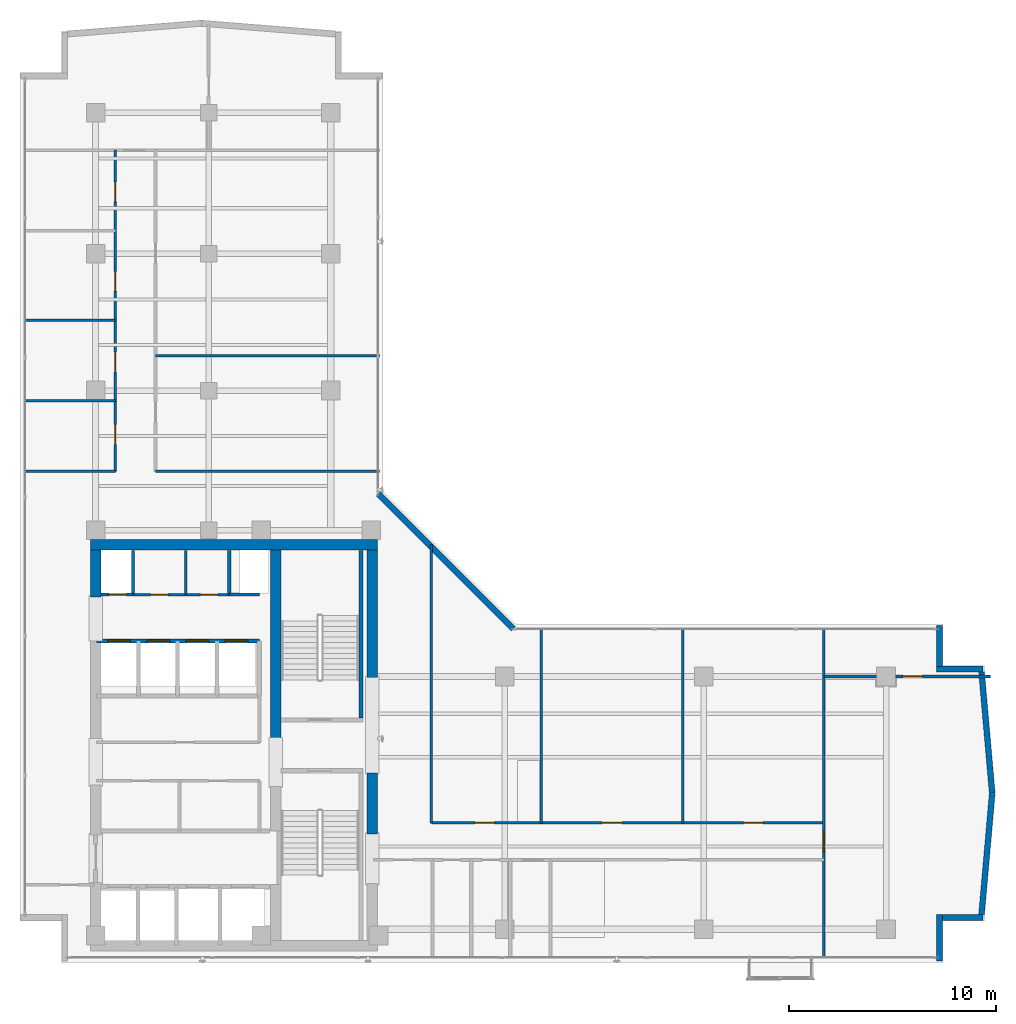
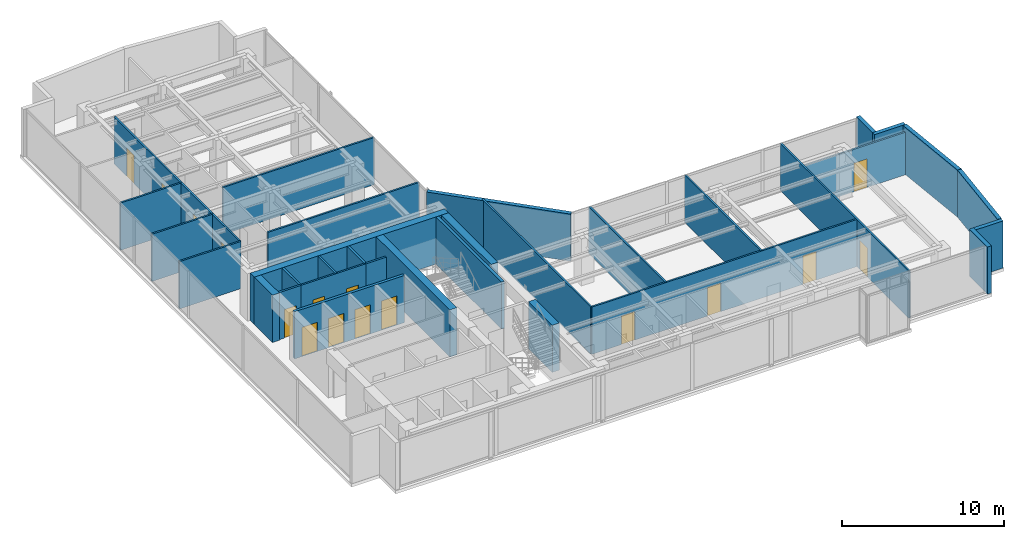
# One storey, part 17 of 23: 32 walls, 16 doors, 16 openings.
"""IFC4 building model written with IfcOpenShell, lengths in metres."""

from ifc_helpers import new_model, si_unit, direction, frame, frame_2d, origin, place, context, subcontext, project, spatial, rectangle, extrude, material, layer, layer_set, type_object, element, fill, save


model = new_model("IFC4")

# Units and contexts
model_context = context("Model", 3, precision=1e-05, world=origin(), true_north=direction((0.0, 1.0)))
body_context = subcontext(model_context, "Body", "Model", "MODEL_VIEW")
ifc_project = project(units=[si_unit("LENGTHUNIT", "METRE"), si_unit("AREAUNIT", "SQUARE_METRE"), si_unit("VOLUMEUNIT", "CUBIC_METRE"), si_unit("PLANEANGLEUNIT", "RADIAN"), si_unit("MASSUNIT", "GRAM", prefix="KILO")], contexts=[model_context])

# Site, building, storey
site_placement = place(None, origin())
site = spatial("IfcSite", under=ifc_project, at=site_placement, CompositionType="ELEMENT")
building_placement = place(site_placement, origin())
building = spatial("IfcBuilding", under=site, at=building_placement, Name="Kolvaren Waterfront Exchange", CompositionType="ELEMENT")
storey_placement = place(building_placement, frame((0.0, 0.0, 289.39990234375)))
storey = spatial("IfcBuildingStorey", under=building, at=storey_placement, Name="L74", CompositionType="ELEMENT", Elevation=289.39990234375)

# Walls
ifc_material_1 = material(Name="Precast concrete C40/50", Category="concrete")
ifc_layer_1 = layer(ifc_material_1, 0.280029296875, Name="Precast concrete C40/50")
ifc_layer_set_1 = layer_set([ifc_layer_1], Name="Precast concrete C40/50")
wall_type_1 = type_object("IfcWallType", Name="ARC-EXT-TERR-280", PredefinedType="SOLIDWALL", material=ifc_layer_set_1)
wall_1_placement = place(storey_placement, frame((48.18212890625, 3.659912109375, 0.0), z_axis=(0.0, 0.0, 1.0), x_axis=(0.0, 1.0, 0.0)))
element("IfcWall", 1, at=wall_1_placement, inside=storey, type_object=wall_type_1, Name="L74 notched corner spandrel pier SE-A", PredefinedType="SOLIDWALL", context=body_context, shape_type="SweptSolid", body=[
    extrude(rectangle(XDim=2.239990234375, YDim=0.280029296875, at=frame_2d((1.1201171875, 0.0))), origin(), (0.0, 0.0, 1.0), 3.56005859375),
])
wall_2_placement = place(storey_placement, frame((48.322021484375, 5.760009765625, 0.0), z_axis=(0.0, 0.0, 1.0), x_axis=(1.0, 0.0, 0.0)))
element("IfcWall", 2, at=wall_2_placement, inside=storey, type_object=wall_type_1, Name="L74 notched corner spandrel pier SE-B", PredefinedType="SOLIDWALL", context=body_context, shape_type="SweptSolid", body=[
    extrude(rectangle(XDim=1.9599609375, YDim=0.280029296875, at=frame_2d((0.97998046875, 0.0))), origin(), (0.0, 0.0, 1.0), 3.56005859375),
])
wall_3_placement = place(storey_placement, frame((48.18212890625, 17.891357421875, 0.0), z_axis=(0.0, 0.0, 1.0), x_axis=(0.0, 1.0, 0.0)))
element("IfcWall", 3, at=wall_3_placement, inside=storey, type_object=wall_type_1, Name="L74 notched corner spandrel pier ENE-A", PredefinedType="SOLIDWALL", context=body_context, shape_type="SweptSolid", body=[
    extrude(rectangle(XDim=1.974853515625, YDim=0.280029296875, at=frame_2d((0.9873046875, 0.0))), origin(), (0.0, 0.0, 1.0), 3.56005859375),
])
wall_4_placement = place(storey_placement, frame((48.0419921875, 17.766357421875, 0.0), z_axis=(0.0, 0.0, 1.0), x_axis=(1.0, 0.0, 0.0)))
element("IfcWall", 4, at=wall_4_placement, inside=storey, type_object=wall_type_1, Name="L74 notched corner spandrel pier ENE-B", PredefinedType="SOLIDWALL", context=body_context, shape_type="SweptSolid", body=[
    extrude(rectangle(XDim=2.239990234375, YDim=0.280029296875, at=frame_2d((1.1201171875, 0.0))), origin(), (0.0, 0.0, 1.0), 3.56005859375),
])
wall_5_placement = place(storey_placement, frame((27.611328125, 19.701416015625, 0.0), z_axis=(0.0, 0.0, 1.0), x_axis=(-0.707120040392, 0.707093521733, 0.0)))
element("IfcWall", 5, at=wall_5_placement, inside=storey, type_object=wall_type_1, Name="L74 notched corner spandrel pier ELBOW", PredefinedType="SOLIDWALL", context=body_context, shape_type="SweptSolid", body=[
    extrude(rectangle(XDim=9.206298828125, YDim=0.280029296875, at=frame_2d((4.60302734375, 0.0))), origin(), (0.0, 0.0, 1.0), 3.56005859375),
])
for number, where, z_axis, x_axis, name in (
    (6, (50.208984375, 5.912841796875, 0.0), (0.0, 0.0, 1.0), (0.087638766314, 0.996152321003, 0.0), "L74 east prow faceted facade wall 1"),
    (7, (50.72314453125, 11.76904296875, 0.0), (0.0, 0.0, 1.0), (-0.087638766314, 0.996152321003, 0.0), "L74 east prow faceted facade wall 2"),
):
    element("IfcWall", number, at=place(storey_placement, frame(where, z_axis=z_axis, x_axis=x_axis)), inside=storey, type_object=wall_type_1, Name=name, PredefinedType="SOLIDWALL", context=body_context, shape_type="SweptSolid", body=[
        extrude(rectangle(XDim=5.86669921875, YDim=0.280029296875, at=frame_2d((2.933349609375, 0.0))), origin(), (0.0, 0.0, 1.0), 3.56005859375),
    ])

# Wall, openings, doors
ifc_material_2 = material(Name="Acoustic gypsum steel stud", Category="steel")
ifc_layer_2 = layer(ifc_material_2, 0.125, Name="Acoustic gypsum steel stud")
ifc_layer_set_2 = layer_set([ifc_layer_2], Name="Acoustic gypsum steel stud")
wall_type_2 = type_object("IfcWallType", Name="ARC-PART-125", PredefinedType="PARTITIONING", material=ifc_layer_set_2)
wall_6_placement = place(storey_placement, frame((9.25, 21.35009765625, 0.0), z_axis=(0.0, 0.0, 1.0), x_axis=(1.0, 0.0, 0.0)))
wall_6 = element("IfcWall", 8, at=wall_6_placement, inside=storey, type_object=wall_type_2, Name="L74 interior wall PW-L74-SVC-HI-S", PredefinedType="PARTITIONING", context=body_context, shape_type="SweptSolid", body=[
    extrude(rectangle(XDim=4.64990234375, YDim=0.125, at=frame_2d((2.324951171875, 0.0))), origin(), (0.0, 0.0, 1.0), 3.56005859375),
])
opening_1_placement = place(wall_6_placement, frame((0.85009765625, 0.0, 0.0)))
opening_1 = element("IfcOpeningElement", 9, at=opening_1_placement, cuts=wall_6, Name="Opening D01", PredefinedType="OPENING", context=body_context, shape_type="SweptSolid", body=[
    extrude(rectangle(XDim=0.85009765625, YDim=2.14990234375, at=frame_2d((0.425048828125, 1.074951171875))), frame((0.0, 0.072509765625, 0.0), z_axis=(0.0, -1.0, 0.0), x_axis=(1.0, 0.0, 0.0)), (0.0, 0.0, 1.0), 0.14501953125),
])
opening_2_placement = place(wall_6_placement, frame((3.25, 0.0, 0.0)))
opening_2 = element("IfcOpeningElement", 10, at=opening_2_placement, cuts=wall_6, Name="Opening D01", PredefinedType="OPENING", context=body_context, shape_type="SweptSolid", body=[
    extrude(rectangle(XDim=0.85009765625, YDim=2.14990234375, at=frame_2d((0.425048828125, 1.074951171875))), frame((0.0, 0.072509765625, 0.0), z_axis=(0.0, -1.0, 0.0), x_axis=(1.0, 0.0, 0.0)), (0.0, 0.0, 1.0), 0.14501953125),
])
ifc_material_3 = material(Name="Oak veneer timber leaf", Category="wood")
door_type_1 = type_object("IfcDoorType", Name="ARC-DR-900", OperationType="NOTDEFINED", PredefinedType="DOOR", material=ifc_material_3)
door_1_placement = place(opening_1_placement, origin())
door_1 = element("IfcDoor", 11, at=door_1_placement, inside=storey, type_object=door_type_1, Name="L74 door DR-L74-SVC-DR-1 (D01)", OperationType="SINGLE_SWING_RIGHT", OverallHeight=2.14990234375, OverallWidth=0.85009765625, PredefinedType="DOOR", context=body_context, shape_type="SweptSolid", body=[
    extrude(rectangle(XDim=0.85009765625, YDim=2.14990234375, at=frame_2d((0.425048828125, 1.074951171875))), frame((0.0, 0.02490234375, 0.0), z_axis=(0.0, -1.0, 0.0), x_axis=(1.0, 0.0, 0.0)), (0.0, 0.0, 1.0), 0.050048828125),
])
fill(opening_1, door_1)
door_2_placement = place(opening_2_placement, origin())
door_2 = element("IfcDoor", 12, at=door_2_placement, inside=storey, type_object=door_type_1, Name="L74 door DR-L74-SVC-DR-2 (D01)", OperationType="SINGLE_SWING_LEFT", OverallHeight=2.14990234375, OverallWidth=0.85009765625, PredefinedType="DOOR", context=body_context, shape_type="SweptSolid", body=[
    extrude(rectangle(XDim=0.85009765625, YDim=2.14990234375, at=frame_2d((0.425048828125, 1.074951171875))), frame((0.0, 0.02490234375, 0.0), z_axis=(0.0, -1.0, 0.0), x_axis=(1.0, 0.0, 0.0)), (0.0, 0.0, 1.0), 0.050048828125),
])
fill(opening_2, door_2)

# Wall
wall_7_placement = place(storey_placement, frame((11.800048828125, 21.35009765625, 0.0), z_axis=(0.0, 0.0, 1.0), x_axis=(0.0, 1.0, 0.0)))
element("IfcWall", 13, at=wall_7_placement, inside=storey, type_object=wall_type_2, Name="L74 interior wall PW-L74-SVC-HI-M", PredefinedType="PARTITIONING", context=body_context, shape_type="SweptSolid", body=[
    extrude(rectangle(XDim=2.1298828125, YDim=0.125, at=frame_2d((1.06494140625, 0.0))), origin(), (0.0, 0.0, 1.0), 3.56005859375),
])

# Wall, opening, door
wall_8_placement = place(storey_placement, frame((42.60009765625, 3.840087890625, 0.0), z_axis=(0.0, 0.0, 1.0), x_axis=(0.0, 1.0, 0.0)))
wall_8 = element("IfcWall", 14, at=wall_8_placement, inside=storey, type_object=wall_type_2, Name="L74 interior wall PW-L74-ETIP-W", PredefinedType="PARTITIONING", context=body_context, shape_type="SweptSolid", body=[
    extrude(rectangle(XDim=15.919921875, YDim=0.125, at=frame_2d((7.9599609375, 0.0))), origin(), (0.0, 0.0, 1.0), 3.56005859375),
])
opening_3_placement = place(wall_8_placement, frame((5.10009765625, 0.0, 0.0)))
opening_3 = element("IfcOpeningElement", 15, at=opening_3_placement, cuts=wall_8, Name="Opening D03", PredefinedType="OPENING", context=body_context, shape_type="SweptSolid", body=[
    extrude(rectangle(XDim=1.0, YDim=2.199951171875, at=frame_2d((0.5, 1.10009765625))), frame((0.0, 0.072509765625, 0.0), z_axis=(0.0, -1.0, 0.0), x_axis=(1.0, 0.0, 0.0)), (0.0, 0.0, 1.0), 0.14501953125),
])
ifc_material_4 = material(Name="Oak veneer accessible timber", Category="wood")
door_type_2 = type_object("IfcDoorType", Name="ARC-DR-1000", OperationType="NOTDEFINED", PredefinedType="DOOR", material=ifc_material_4)
door_3_placement = place(opening_3_placement, origin())
door_3 = element("IfcDoor", 16, at=door_3_placement, inside=storey, type_object=door_type_2, Name="L74 door DR-L74-ETIP1-D (D03)", OperationType="SINGLE_SWING_RIGHT", OverallHeight=2.199951171875, OverallWidth=1.0, PredefinedType="DOOR", context=body_context, shape_type="SweptSolid", body=[
    extrude(rectangle(XDim=1.0, YDim=2.199951171875, at=frame_2d((0.5, 1.10009765625))), frame((0.0, 0.02490234375, 0.0), z_axis=(0.0, -1.0, 0.0), x_axis=(1.0, 0.0, 0.0)), (0.0, 0.0, 1.0), 0.050048828125),
])
fill(opening_3, door_3)

wall_9_placement = place(storey_placement, frame((42.60009765625, 17.39990234375, 0.0), z_axis=(0.0, 0.0, 1.0), x_axis=(1.0, 0.0, 0.0)))
wall_9 = element("IfcWall", 17, at=wall_9_placement, inside=storey, type_object=wall_type_2, Name="L74 interior wall PW-L74-ETIP-MID", PredefinedType="PARTITIONING", context=body_context, shape_type="SweptSolid", body=[
    extrude(rectangle(XDim=8.044189453125, YDim=0.125, at=frame_2d((4.02197265625, 0.0))), origin(), (0.0, 0.0, 1.0), 3.2001953125),
])
opening_4_placement = place(wall_9_placement, frame((3.8125, 0.0, 0.0)))
opening_4 = element("IfcOpeningElement", 18, at=opening_4_placement, cuts=wall_9, Name="Opening D02", PredefinedType="OPENING", context=body_context, shape_type="SweptSolid", body=[
    extrude(rectangle(XDim=0.949951171875, YDim=2.14990234375, at=frame_2d((0.47509765625, 1.074951171875))), frame((0.0, 0.072509765625, 0.0), z_axis=(0.0, -1.0, 0.0), x_axis=(1.0, 0.0, 0.0)), (0.0, 0.0, 1.0), 0.14501953125),
])
ifc_material_5 = material(Name="Oak veneer acoustic timber", Category="wood")
door_type_3 = type_object("IfcDoorType", Name="ARC-DR-950", OperationType="NOTDEFINED", PredefinedType="DOOR", material=ifc_material_5)
door_4_placement = place(opening_4_placement, origin())
door_4 = element("IfcDoor", 19, at=door_4_placement, inside=storey, type_object=door_type_3, Name="L74 door DR-L74-ETIP2-D (D02)", OperationType="SINGLE_SWING_LEFT", OverallHeight=2.14990234375, OverallWidth=0.949951171875, PredefinedType="DOOR", context=body_context, shape_type="SweptSolid", body=[
    extrude(rectangle(XDim=0.949951171875, YDim=2.14990234375, at=frame_2d((0.47509765625, 1.074951171875))), frame((0.0, 0.02490234375, 0.0), z_axis=(0.0, -1.0, 0.0), x_axis=(1.0, 0.0, 0.0)), (0.0, 0.0, 1.0), 0.050048828125),
])
fill(opening_4, door_4)

# Wall
wall_10_placement = place(storey_placement, frame((23.64990234375, 10.330078125, 0.0), z_axis=(0.0, 0.0, 1.0), x_axis=(0.0, 1.0, 0.0)))
element("IfcWall", 20, at=wall_10_placement, inside=storey, type_object=wall_type_2, Name="L74 interior wall PW-L74-EN-W0", PredefinedType="PARTITIONING", context=body_context, shape_type="SweptSolid", body=[
    extrude(rectangle(XDim=13.4326171875, YDim=0.125, at=frame_2d((6.71630859375, 0.0))), origin(), (0.0, 0.0, 1.0), 3.56005859375),
])

# Wall, openings, doors
wall_11_placement = place(storey_placement, frame((23.64990234375, 10.330078125, 0.0), z_axis=(0.0, 0.0, 1.0), x_axis=(1.0, 0.0, 0.0)))
wall_11 = element("IfcWall", 21, at=wall_11_placement, inside=storey, type_object=wall_type_2, Name="L74 interior wall PW-L74-EN-CORR", PredefinedType="PARTITIONING", context=body_context, shape_type="SweptSolid", body=[
    extrude(rectangle(XDim=18.9501953125, YDim=0.125, at=frame_2d((9.47509765625, 0.0))), origin(), (0.0, 0.0, 1.0), 3.56005859375),
])
opening_5_placement = place(wall_11_placement, frame((2.10888671875, 0.0, 0.0)))
opening_5 = element("IfcOpeningElement", 22, at=opening_5_placement, cuts=wall_11, Name="Opening D02", PredefinedType="OPENING", context=body_context, shape_type="SweptSolid", body=[
    extrude(rectangle(XDim=0.949951171875, YDim=2.14990234375, at=frame_2d((0.47509765625, 1.074951171875))), frame((0.0, 0.072509765625, 0.0), z_axis=(0.0, -1.0, 0.0), x_axis=(1.0, 0.0, 0.0)), (0.0, 0.0, 1.0), 0.14501953125),
])
opening_6_placement = place(wall_11_placement, frame((8.2451171875, 0.0, 0.0)))
opening_6 = element("IfcOpeningElement", 23, at=opening_6_placement, cuts=wall_11, Name="Opening D02", PredefinedType="OPENING", context=body_context, shape_type="SweptSolid", body=[
    extrude(rectangle(XDim=0.949951171875, YDim=2.14990234375, at=frame_2d((0.47509765625, 1.074951171875))), frame((0.0, 0.072509765625, 0.0), z_axis=(0.0, -1.0, 0.0), x_axis=(1.0, 0.0, 0.0)), (0.0, 0.0, 1.0), 0.14501953125),
])
opening_7_placement = place(wall_11_placement, frame((15.06494140625, 0.0, 0.0)))
opening_7 = element("IfcOpeningElement", 24, at=opening_7_placement, cuts=wall_11, Name="Opening D02", PredefinedType="OPENING", context=body_context, shape_type="SweptSolid", body=[
    extrude(rectangle(XDim=0.949951171875, YDim=2.14990234375, at=frame_2d((0.47509765625, 1.074951171875))), frame((0.0, 0.072509765625, 0.0), z_axis=(0.0, -1.0, 0.0), x_axis=(1.0, 0.0, 0.0)), (0.0, 0.0, 1.0), 0.14501953125),
])
door_5_placement = place(opening_5_placement, origin())
door_5 = element("IfcDoor", 25, at=door_5_placement, inside=storey, type_object=door_type_3, Name="L74 door DR-L74-EN-D-1 (D02)", OperationType="SINGLE_SWING_RIGHT", OverallHeight=2.14990234375, OverallWidth=0.949951171875, PredefinedType="DOOR", context=body_context, shape_type="SweptSolid", body=[
    extrude(rectangle(XDim=0.949951171875, YDim=2.14990234375, at=frame_2d((0.47509765625, 1.074951171875))), frame((0.0, 0.02490234375, 0.0), z_axis=(0.0, -1.0, 0.0), x_axis=(1.0, 0.0, 0.0)), (0.0, 0.0, 1.0), 0.050048828125),
])
fill(opening_5, door_5)
door_6_placement = place(opening_6_placement, origin())
door_6 = element("IfcDoor", 26, at=door_6_placement, inside=storey, type_object=door_type_3, Name="L74 door DR-L74-EN-D-2 (D02)", OperationType="SINGLE_SWING_LEFT", OverallHeight=2.14990234375, OverallWidth=0.949951171875, PredefinedType="DOOR", context=body_context, shape_type="SweptSolid", body=[
    extrude(rectangle(XDim=0.949951171875, YDim=2.14990234375, at=frame_2d((0.47509765625, 1.074951171875))), frame((0.0, 0.02490234375, 0.0), z_axis=(0.0, -1.0, 0.0), x_axis=(1.0, 0.0, 0.0)), (0.0, 0.0, 1.0), 0.050048828125),
])
fill(opening_6, door_6)
door_7_placement = place(opening_7_placement, origin())
door_7 = element("IfcDoor", 27, at=door_7_placement, inside=storey, type_object=door_type_3, Name="L74 door DR-L74-EN-D-3 (D02)", OperationType="SINGLE_SWING_RIGHT", OverallHeight=2.14990234375, OverallWidth=0.949951171875, PredefinedType="DOOR", context=body_context, shape_type="SweptSolid", body=[
    extrude(rectangle(XDim=0.949951171875, YDim=2.14990234375, at=frame_2d((0.47509765625, 1.074951171875))), frame((0.0, 0.02490234375, 0.0), z_axis=(0.0, -1.0, 0.0), x_axis=(1.0, 0.0, 0.0)), (0.0, 0.0, 1.0), 0.050048828125),
])
fill(opening_7, door_7)

# Walls
for number, where, z_axis, x_axis, name in (
    (28, (28.9599609375, 10.330078125, 0.0), (0.0, 0.0, 1.0), (0.0, 1.0, 0.0), "L74 interior wall PW-L74-EN-DIV-1"),
    (29, (35.780029296875, 10.330078125, 0.0), (0.0, 0.0, 1.0), (0.0, 1.0, 0.0), "L74 interior wall PW-L74-EN-DIV-2"),
):
    element("IfcWall", number, at=place(storey_placement, frame(where, z_axis=z_axis, x_axis=x_axis)), inside=storey, type_object=wall_type_2, Name=name, PredefinedType="PARTITIONING", context=body_context, shape_type="SweptSolid", body=[
        extrude(rectangle(XDim=9.429931640625, YDim=0.125, at=frame_2d((4.71484375, 0.0))), origin(), (0.0, 0.0, 1.0), 3.56005859375),
    ])
wall_12_placement = place(storey_placement, frame((4.0400390625, 27.300048828125, 0.0), z_axis=(0.0, 0.0, 1.0), x_axis=(1.0, 0.0, 0.0)))
element("IfcWall", 30, at=wall_12_placement, inside=storey, type_object=wall_type_2, Name="L74 interior wall PW-L74-NW-S0", PredefinedType="PARTITIONING", context=body_context, shape_type="SweptSolid", body=[
    extrude(rectangle(XDim=4.35986328125, YDim=0.125, at=frame_2d((2.179931640625, 0.0))), origin(), (0.0, 0.0, 1.0), 3.56005859375),
])

# Wall, openings, doors
wall_13_placement = place(storey_placement, frame((8.39990234375, 27.300048828125, 0.0), z_axis=(0.0, 0.0, 1.0), x_axis=(0.0, 1.0, 0.0)))
wall_13 = element("IfcWall", 31, at=wall_13_placement, inside=storey, type_object=wall_type_2, Name="L74 interior wall PW-L74-NW-CORR", PredefinedType="PARTITIONING", context=body_context, shape_type="SweptSolid", body=[
    extrude(rectangle(XDim=15.5, YDim=0.125, at=frame_2d((7.75, 0.0))), origin(), (0.0, 0.0, 1.0), 3.56005859375),
])
opening_8_placement = place(wall_13_placement, frame((1.305419921875, 0.0, 0.0)))
opening_8 = element("IfcOpeningElement", 32, at=opening_8_placement, cuts=wall_13, Name="Opening D02", PredefinedType="OPENING", context=body_context, shape_type="SweptSolid", body=[
    extrude(rectangle(XDim=0.949951171875, YDim=2.14990234375, at=frame_2d((0.47509765625, 1.074951171875))), frame((0.0, 0.072509765625, 0.0), z_axis=(0.0, -1.0, 0.0), x_axis=(1.0, 0.0, 0.0)), (0.0, 0.0, 1.0), 0.14501953125),
])
opening_9_placement = place(wall_13_placement, frame((4.803955078125, 0.0, 0.0)))
opening_9 = element("IfcOpeningElement", 33, at=opening_9_placement, cuts=wall_13, Name="Opening D02", PredefinedType="OPENING", context=body_context, shape_type="SweptSolid", body=[
    extrude(rectangle(XDim=0.949951171875, YDim=2.14990234375, at=frame_2d((0.47509765625, 1.074951171875))), frame((0.0, 0.072509765625, 0.0), z_axis=(0.0, -1.0, 0.0), x_axis=(1.0, 0.0, 0.0)), (0.0, 0.0, 1.0), 0.14501953125),
])
opening_10_placement = place(wall_13_placement, frame((8.693359375, 0.0, 0.0)))
opening_10 = element("IfcOpeningElement", 34, at=opening_10_placement, cuts=wall_13, Name="Opening D02", PredefinedType="OPENING", context=body_context, shape_type="SweptSolid", body=[
    extrude(rectangle(XDim=0.949951171875, YDim=2.14990234375, at=frame_2d((0.47509765625, 1.074951171875))), frame((0.0, 0.072509765625, 0.0), z_axis=(0.0, -1.0, 0.0), x_axis=(1.0, 0.0, 0.0)), (0.0, 0.0, 1.0), 0.14501953125),
])
opening_11_placement = place(wall_13_placement, frame((13.013916015625, 0.0, 0.0)))
opening_11 = element("IfcOpeningElement", 35, at=opening_11_placement, cuts=wall_13, Name="Opening D02", PredefinedType="OPENING", context=body_context, shape_type="SweptSolid", body=[
    extrude(rectangle(XDim=0.949951171875, YDim=2.14990234375, at=frame_2d((0.47509765625, 1.074951171875))), frame((0.0, 0.072509765625, 0.0), z_axis=(0.0, -1.0, 0.0), x_axis=(1.0, 0.0, 0.0)), (0.0, 0.0, 1.0), 0.14501953125),
])
door_8_placement = place(opening_8_placement, origin())
door_8 = element("IfcDoor", 36, at=door_8_placement, inside=storey, type_object=door_type_3, Name="L74 door DR-L74-NW-D-1 (D02)", OperationType="SINGLE_SWING_LEFT", OverallHeight=2.14990234375, OverallWidth=0.949951171875, PredefinedType="DOOR", context=body_context, shape_type="SweptSolid", body=[
    extrude(rectangle(XDim=0.949951171875, YDim=2.14990234375, at=frame_2d((0.47509765625, 1.074951171875))), frame((0.0, 0.02490234375, 0.0), z_axis=(0.0, -1.0, 0.0), x_axis=(1.0, 0.0, 0.0)), (0.0, 0.0, 1.0), 0.050048828125),
])
fill(opening_8, door_8)
door_9_placement = place(opening_9_placement, origin())
door_9 = element("IfcDoor", 37, at=door_9_placement, inside=storey, type_object=door_type_3, Name="L74 door DR-L74-NW-D-2 (D02)", OperationType="SINGLE_SWING_RIGHT", OverallHeight=2.14990234375, OverallWidth=0.949951171875, PredefinedType="DOOR", context=body_context, shape_type="SweptSolid", body=[
    extrude(rectangle(XDim=0.949951171875, YDim=2.14990234375, at=frame_2d((0.47509765625, 1.074951171875))), frame((0.0, 0.02490234375, 0.0), z_axis=(0.0, -1.0, 0.0), x_axis=(1.0, 0.0, 0.0)), (0.0, 0.0, 1.0), 0.050048828125),
])
fill(opening_9, door_9)
door_10_placement = place(opening_10_placement, origin())
door_10 = element("IfcDoor", 38, at=door_10_placement, inside=storey, type_object=door_type_3, Name="L74 door DR-L74-NW-D-3 (D02)", OperationType="SINGLE_SWING_LEFT", OverallHeight=2.14990234375, OverallWidth=0.949951171875, PredefinedType="DOOR", context=body_context, shape_type="SweptSolid", body=[
    extrude(rectangle(XDim=0.949951171875, YDim=2.14990234375, at=frame_2d((0.47509765625, 1.074951171875))), frame((0.0, 0.02490234375, 0.0), z_axis=(0.0, -1.0, 0.0), x_axis=(1.0, 0.0, 0.0)), (0.0, 0.0, 1.0), 0.050048828125),
])
fill(opening_10, door_10)
door_11_placement = place(opening_11_placement, origin())
door_11 = element("IfcDoor", 39, at=door_11_placement, inside=storey, type_object=door_type_3, Name="L74 door DR-L74-NW-D-4 (D02)", OperationType="SINGLE_SWING_RIGHT", OverallHeight=2.14990234375, OverallWidth=0.949951171875, PredefinedType="DOOR", context=body_context, shape_type="SweptSolid", body=[
    extrude(rectangle(XDim=0.949951171875, YDim=2.14990234375, at=frame_2d((0.47509765625, 1.074951171875))), frame((0.0, 0.02490234375, 0.0), z_axis=(0.0, -1.0, 0.0), x_axis=(1.0, 0.0, 0.0)), (0.0, 0.0, 1.0), 0.050048828125),
])
fill(opening_11, door_11)

# Walls
for number, where, z_axis, x_axis, name in (
    (40, (4.0400390625, 30.7099609375, 0.0), (0.0, 0.0, 1.0), (1.0, 0.0, 0.0), "L74 interior wall PW-L74-NW-DIV-1"),
    (41, (4.0400390625, 34.590087890625, 0.0), (0.0, 0.0, 1.0), (1.0, 0.0, 0.0), "L74 interior wall PW-L74-NW-DIV-2"),
):
    element("IfcWall", number, at=place(storey_placement, frame(where, z_axis=z_axis, x_axis=x_axis)), inside=storey, type_object=wall_type_2, Name=name, PredefinedType="PARTITIONING", context=body_context, shape_type="SweptSolid", body=[
        extrude(rectangle(XDim=4.35986328125, YDim=0.125, at=frame_2d((2.179931640625, 0.0))), origin(), (0.0, 0.0, 1.0), 3.56005859375),
    ])
for number, where, z_axis, x_axis, name in (
    (42, (10.340087890625, 27.300048828125, 0.0), (0.0, 0.0, 1.0), (1.0, 0.0, 0.0), "L74 interior wall PW-L74-NE-S0"),
    (43, (10.340087890625, 32.8798828125, 0.0), (0.0, 0.0, 1.0), (1.0, 0.0, 0.0), "L74 interior wall PW-L74-NE-DIV-1"),
):
    element("IfcWall", number, at=place(storey_placement, frame(where, z_axis=z_axis, x_axis=x_axis)), inside=storey, type_object=wall_type_2, Name=name, PredefinedType="PARTITIONING", context=body_context, shape_type="SweptSolid", body=[
        extrude(rectangle(XDim=10.81982421875, YDim=0.125, at=frame_2d((5.409912109375, 0.0))), origin(), (0.0, 0.0, 1.0), 3.56005859375),
    ])
ifc_material_6 = material(Name="Gypsum fireboard steel stud", Category="steel")
ifc_layer_3 = layer(ifc_material_6, 0.14990234375, Name="Gypsum fireboard steel stud")
ifc_layer_set_3 = layer_set([ifc_layer_3], Name="Gypsum fireboard steel stud")
wall_type_3 = type_object("IfcWallType", Name="ARC-PART-150", PredefinedType="PARTITIONING", material=ifc_layer_set_3)
for number, where, z_axis, x_axis, name in (
    (44, (9.25, 21.35009765625, 0.0), (0.0, 0.0, 1.0), (0.0, 1.0, 0.0), "L74 interior wall PW-L74-SVC-R1"),
    (45, (13.89990234375, 21.35009765625, 0.0), (0.0, 0.0, 1.0), (0.0, 1.0, 0.0), "L74 interior wall PW-L74-SVC-R2"),
):
    element("IfcWall", number, at=place(storey_placement, frame(where, z_axis=z_axis, x_axis=x_axis)), inside=storey, type_object=wall_type_3, Name=name, PredefinedType="PARTITIONING", context=body_context, shape_type="SweptSolid", body=[
        extrude(rectangle(XDim=2.1298828125, YDim=0.14990234375, at=frame_2d((1.06494140625, 0.0))), origin(), (0.0, 0.0, 1.0), 3.56005859375),
    ])

# Wall, opening, door
wall_14_placement = place(storey_placement, frame((7.699951171875, 21.35009765625, 0.0), z_axis=(0.0, 0.0, 1.0), x_axis=(1.0, 0.0, 0.0)))
wall_14 = element("IfcWall", 46, at=wall_14_placement, inside=storey, type_object=wall_type_3, Name="L74 interior wall PW-L74-SVC-RE-S", PredefinedType="PARTITIONING", context=body_context, shape_type="SweptSolid", body=[
    extrude(rectangle(XDim=1.550048828125, YDim=0.14990234375, at=frame_2d((0.77490234375, 0.0))), origin(), (0.0, 0.0, 1.0), 3.56005859375),
])
opening_12_placement = place(wall_14_placement, frame((0.389892578125, 0.0, 0.0)))
opening_12 = element("IfcOpeningElement", 47, at=opening_12_placement, cuts=wall_14, Name="Opening FD1", PredefinedType="OPENING", context=body_context, shape_type="SweptSolid", body=[
    extrude(rectangle(XDim=0.85009765625, YDim=2.14990234375, at=frame_2d((0.425048828125, 1.074951171875))), frame((0.0, 0.0849609375, 0.0), z_axis=(0.0, -1.0, 0.0), x_axis=(1.0, 0.0, 0.0)), (0.0, 0.0, 1.0), 0.169921875),
])
ifc_material_7 = material(Name="Pressed steel fire leaf", Category="steel")
door_type_4 = type_object("IfcDoorType", Name="ARC-FD-900", OperationType="NOTDEFINED", PredefinedType="DOOR", material=ifc_material_7)
door_12_placement = place(opening_12_placement, origin())
door_12 = element("IfcDoor", 48, at=door_12_placement, inside=storey, type_object=door_type_4, Name="L74 door DR-L74-RISER-E-DR (FD1)", OperationType="SINGLE_SWING_LEFT", OverallHeight=2.14990234375, OverallWidth=0.85009765625, PredefinedType="DOOR", context=body_context, shape_type="SweptSolid", body=[
    extrude(rectangle(XDim=0.85009765625, YDim=2.14990234375, at=frame_2d((0.425048828125, 1.074951171875))), frame((0.0, 0.02490234375, 0.0), z_axis=(0.0, -1.0, 0.0), x_axis=(1.0, 0.0, 0.0)), (0.0, 0.0, 1.0), 0.050048828125),
])
fill(opening_12, door_12)

# Walls
wall_15_placement = place(storey_placement, frame((13.89990234375, 21.35009765625, 0.0), z_axis=(0.0, 0.0, 1.0), x_axis=(1.0, 0.0, 0.0)))
element("IfcWall", 49, at=wall_15_placement, inside=storey, type_object=wall_type_3, Name="L74 interior wall PW-L74-SVC-RP-S", PredefinedType="PARTITIONING", context=body_context, shape_type="SweptSolid", body=[
    extrude(rectangle(XDim=1.4501953125, YDim=0.14990234375, at=frame_2d((0.72509765625, 0.0))), origin(), (0.0, 0.0, 1.0), 3.56005859375),
])
ifc_material_8 = material(Name="Concrete C40/50", Category="concrete")
ifc_layer_4 = layer(ifc_material_8, 0.199951171875, Name="Concrete C40/50")
ifc_layer_set_4 = layer_set([ifc_layer_4], Name="Concrete C40/50")
wall_type_4 = type_object("IfcWallType", Name="ARC-SHAFT-200", PredefinedType="PARTITIONING", material=ifc_layer_set_4)
wall_16_placement = place(storey_placement, frame((20.260009765625, 15.39990234375, 0.0), z_axis=(0.0, 0.0, 1.0), x_axis=(0.0, 1.0, 0.0)))
element("IfcWall", 50, at=wall_16_placement, inside=storey, type_object=wall_type_4, Name="L74 structural stairwell wall PW-L74-ST2-E", PredefinedType="SHEAR", context=body_context, shape_type="SweptSolid", body=[
    extrude(rectangle(XDim=8.090087890625, YDim=0.199951171875, at=frame_2d((4.044921875, 0.0))), origin(), (0.0, 0.0, 1.0), 3.56005859375),
])

# Wall, openings, doors
wall_17_placement = place(storey_placement, frame((7.5, 19.1201171875, 0.0), z_axis=(0.0, 0.0, 1.0), x_axis=(1.0, 0.0, 0.0)))
wall_17 = element("IfcWall", 51, at=wall_17_placement, inside=storey, type_object=wall_type_4, Name="L74 interior wall PW-L74-PH-N", PredefinedType="PARTITIONING", context=body_context, shape_type="SweptSolid", body=[
    extrude(rectangle(XDim=7.85009765625, YDim=0.199951171875, at=frame_2d((3.925048828125, 0.0))), origin(), (0.0, 0.0, 1.0), 3.56005859375),
])
opening_13_placement = place(wall_17_placement, frame((0.530029296875, 0.0, 0.0)))
opening_13 = element("IfcOpeningElement", 52, at=opening_13_placement, cuts=wall_17, Name="Opening LD2", PredefinedType="OPENING", context=body_context, shape_type="SweptSolid", body=[
    extrude(rectangle(XDim=1.10009765625, YDim=2.199951171875, at=frame_2d((0.550048828125, 1.10009765625))), frame((0.0, 0.10986328125, 0.0), z_axis=(0.0, -1.0, 0.0), x_axis=(1.0, 0.0, 0.0)), (0.0, 0.0, 1.0), 0.219970703125),
])
opening_14_placement = place(wall_17_placement, frame((2.419921875, 0.0, 0.0)))
opening_14 = element("IfcOpeningElement", 53, at=opening_14_placement, cuts=wall_17, Name="Opening LD2", PredefinedType="OPENING", context=body_context, shape_type="SweptSolid", body=[
    extrude(rectangle(XDim=1.10009765625, YDim=2.199951171875, at=frame_2d((0.550048828125, 1.10009765625))), frame((0.0, 0.10986328125, 0.0), z_axis=(0.0, -1.0, 0.0), x_axis=(1.0, 0.0, 0.0)), (0.0, 0.0, 1.0), 0.219970703125),
])
opening_15_placement = place(wall_17_placement, frame((4.31005859375, 0.0, 0.0)))
opening_15 = element("IfcOpeningElement", 54, at=opening_15_placement, cuts=wall_17, Name="Opening LD2", PredefinedType="OPENING", context=body_context, shape_type="SweptSolid", body=[
    extrude(rectangle(XDim=1.10009765625, YDim=2.199951171875, at=frame_2d((0.550048828125, 1.10009765625))), frame((0.0, 0.10986328125, 0.0), z_axis=(0.0, -1.0, 0.0), x_axis=(1.0, 0.0, 0.0)), (0.0, 0.0, 1.0), 0.219970703125),
])
opening_16_placement = place(wall_17_placement, frame((6.199951171875, 0.0, 0.0)))
opening_16 = element("IfcOpeningElement", 55, at=opening_16_placement, cuts=wall_17, Name="Opening LD2", PredefinedType="OPENING", context=body_context, shape_type="SweptSolid", body=[
    extrude(rectangle(XDim=1.10009765625, YDim=2.199951171875, at=frame_2d((0.550048828125, 1.10009765625))), frame((0.0, 0.10986328125, 0.0), z_axis=(0.0, -1.0, 0.0), x_axis=(1.0, 0.0, 0.0)), (0.0, 0.0, 1.0), 0.219970703125),
])
ifc_material_9 = material(Name="Brushed bronze sliding landing door", Category="aluminium")
door_type_5 = type_object("IfcDoorType", Name="ARC-LD-PAX", OperationType="SLIDING_TO_LEFT", PredefinedType="DOOR", material=ifc_material_9)
door_13_placement = place(opening_13_placement, origin())
door_13 = element("IfcDoor", 56, at=door_13_placement, inside=storey, type_object=door_type_5, Name="L74 door LD-L74-PH1 (LD2)", OperationType="SLIDING_TO_LEFT", OverallHeight=2.199951171875, OverallWidth=1.10009765625, PredefinedType="DOOR", context=body_context, shape_type="SweptSolid", body=[
    extrude(rectangle(XDim=1.10009765625, YDim=2.199951171875, at=frame_2d((0.550048828125, 1.10009765625))), frame((0.0, 0.02490234375, 0.0), z_axis=(0.0, -1.0, 0.0), x_axis=(1.0, 0.0, 0.0)), (0.0, 0.0, 1.0), 0.050048828125),
])
fill(opening_13, door_13)
door_14_placement = place(opening_14_placement, origin())
door_14 = element("IfcDoor", 57, at=door_14_placement, inside=storey, type_object=door_type_5, Name="L74 door LD-L74-PH2 (LD2)", OperationType="SLIDING_TO_LEFT", OverallHeight=2.199951171875, OverallWidth=1.10009765625, PredefinedType="DOOR", context=body_context, shape_type="SweptSolid", body=[
    extrude(rectangle(XDim=1.10009765625, YDim=2.199951171875, at=frame_2d((0.550048828125, 1.10009765625))), frame((0.0, 0.02490234375, 0.0), z_axis=(0.0, -1.0, 0.0), x_axis=(1.0, 0.0, 0.0)), (0.0, 0.0, 1.0), 0.050048828125),
])
fill(opening_14, door_14)
door_15_placement = place(opening_15_placement, origin())
door_15 = element("IfcDoor", 58, at=door_15_placement, inside=storey, type_object=door_type_5, Name="L74 door LD-L74-PH3 (LD2)", OperationType="SLIDING_TO_LEFT", OverallHeight=2.199951171875, OverallWidth=1.10009765625, PredefinedType="DOOR", context=body_context, shape_type="SweptSolid", body=[
    extrude(rectangle(XDim=1.10009765625, YDim=2.199951171875, at=frame_2d((0.550048828125, 1.10009765625))), frame((0.0, 0.02490234375, 0.0), z_axis=(0.0, -1.0, 0.0), x_axis=(1.0, 0.0, 0.0)), (0.0, 0.0, 1.0), 0.050048828125),
])
fill(opening_15, door_15)
door_16_placement = place(opening_16_placement, origin())
door_16 = element("IfcDoor", 59, at=door_16_placement, inside=storey, type_object=door_type_5, Name="L74 door LD-L74-PH4 (LD2)", OperationType="SLIDING_TO_LEFT", OverallHeight=2.199951171875, OverallWidth=1.10009765625, PredefinedType="DOOR", context=body_context, shape_type="SweptSolid", body=[
    extrude(rectangle(XDim=1.10009765625, YDim=2.199951171875, at=frame_2d((0.550048828125, 1.10009765625))), frame((0.0, 0.02490234375, 0.0), z_axis=(0.0, -1.0, 0.0), x_axis=(1.0, 0.0, 0.0)), (0.0, 0.0, 1.0), 0.050048828125),
])
fill(opening_16, door_16)

# Walls
ifc_material_10 = material(Name="Concrete C50/60", Category="concrete")
ifc_layer_5 = layer(ifc_material_10, 0.5, Name="Concrete C50/60")
ifc_layer_set_5 = layer_set([ifc_layer_5], Name="Concrete C50/60")
wall_type_5 = type_object("IfcWallType", Name="STR-CWALL-500", PredefinedType="SHEAR", material=ifc_layer_set_5)
wall_18_placement = place(storey_placement, frame((7.199951171875, 23.75, 0.0), z_axis=(0.0, 0.0, 1.0), x_axis=(1.0, 0.0, 0.0)))
element("IfcWall", 60, at=wall_18_placement, inside=storey, type_object=wall_type_5, Name="L74 rear-core shear wall N", PredefinedType="SHEAR", context=body_context, shape_type="SweptSolid", body=[
    extrude(rectangle(XDim=13.85009765625, YDim=0.5, at=frame_2d((6.925048828125, 0.0))), origin(), (0.0, 0.0, 1.0), 3.56005859375),
])
wall_19_placement = place(storey_placement, frame((7.449951171875, 21.239990234375, 0.0), z_axis=(0.0, 0.0, 1.0), x_axis=(0.0, 1.0, 0.0)))
element("IfcWall", 61, at=wall_19_placement, inside=storey, type_object=wall_type_5, Name="L74 rear-core shear wall W3", PredefinedType="SHEAR", context=body_context, shape_type="SweptSolid", body=[
    extrude(rectangle(XDim=2.260009765625, YDim=0.5, at=frame_2d((1.1298828125, 0.0))), origin(), (0.0, 0.0, 1.0), 3.56005859375),
])
wall_20_placement = place(storey_placement, frame((20.800048828125, 9.800048828125, 0.0), z_axis=(0.0, 0.0, 1.0), x_axis=(0.0, 1.0, 0.0)))
element("IfcWall", 62, at=wall_20_placement, inside=storey, type_object=wall_type_5, Name="L74 rear-core shear wall E2", PredefinedType="SHEAR", context=body_context, shape_type="SweptSolid", body=[
    extrude(rectangle(XDim=2.949951171875, YDim=0.5, at=frame_2d((1.47509765625, 0.0))), origin(), (0.0, 0.0, 1.0), 3.56005859375),
])
wall_21_placement = place(storey_placement, frame((20.800048828125, 17.35009765625, 0.0), z_axis=(0.0, 0.0, 1.0), x_axis=(0.0, 1.0, 0.0)))
element("IfcWall", 63, at=wall_21_placement, inside=storey, type_object=wall_type_5, Name="L74 rear-core shear wall E3", PredefinedType="SHEAR", context=body_context, shape_type="SweptSolid", body=[
    extrude(rectangle(XDim=6.14990234375, YDim=0.5, at=frame_2d((3.074951171875, 0.0))), origin(), (0.0, 0.0, 1.0), 3.56005859375),
])
wall_22_placement = place(storey_placement, frame((16.14990234375, 14.39990234375, 0.0), z_axis=(0.0, 0.0, 1.0), x_axis=(0.0, 1.0, 0.0)))
element("IfcWall", 64, at=wall_22_placement, inside=storey, type_object=wall_type_5, Name="L74 rear-core shear wall M3", PredefinedType="SHEAR", context=body_context, shape_type="SweptSolid", body=[
    extrude(rectangle(XDim=9.10009765625, YDim=0.5, at=frame_2d((4.550048828125, 0.0))), origin(), (0.0, 0.0, 1.0), 3.56005859375),
])

save(model, "model.ifc")
